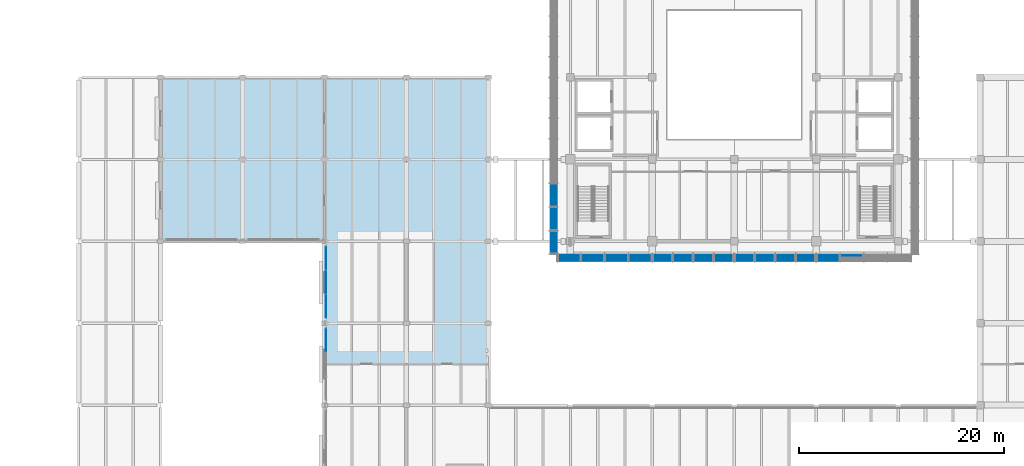
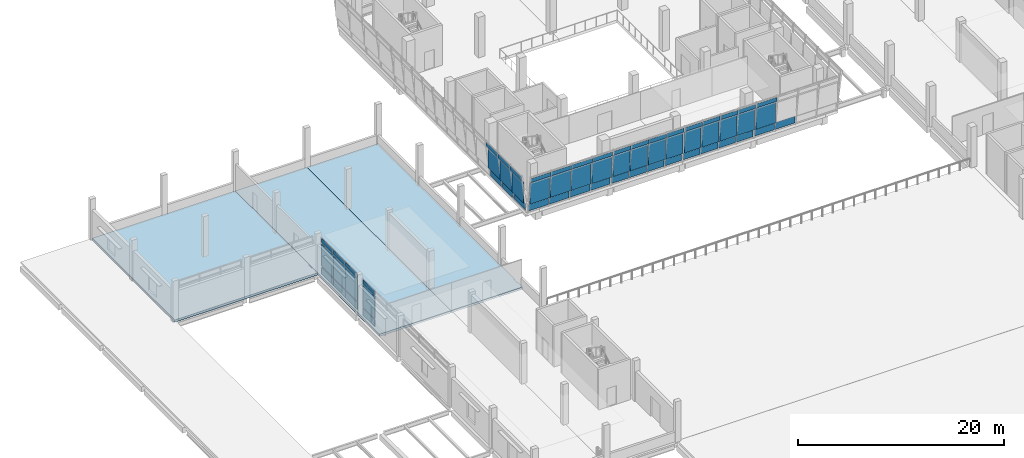
# One storey, part 23 of 52: 61 plates, 3 slabs, 7 elements without a shape of their own.
"""IFC4 building model written with IfcOpenShell, lengths in metres."""

import ifcopenshell
import ifcopenshell.guid

model = None  # the IFC model being written
_history = None  # IfcOwnerHistory: only IFC2X3 demands one
_inside = {}  # id of a spatial element -> (the spatial element, [elements in it])
_under = {}  # id of a project, library or spatial element -> (it, [spatial elements below it])
_declared = {}  # id of a project -> (the project, [libraries it declares])
_typed = {}  # id of a type object -> (the type object, [elements of that type])
_made_of = {}  # id of a material, layer set ... -> (it, [elements and type objects made of it])


def new_model(schema):
    """Start an empty IFC model of exactly this schema.

    Asked for "IFC4X3", IfcOpenShell would pick the latest addendum, in which some entities
    have other attributes; the version numbers below select the first issue.
    IFC2X3 requires an IfcOwnerHistory on every rooted entity: one is made here for all.
    """
    global model, _history
    if schema == "IFC4X3":
        model = ifcopenshell.file(schema_version=(4, 3, 0, 0))
    else:
        model = ifcopenshell.file(schema=schema)
    _inside.clear()
    _under.clear()
    _declared.clear()
    _typed.clear()
    _made_of.clear()
    _history = None
    if model.schema == "IFC2X3":
        org = make("IfcOrganization", Name="unknown")
        user = make(
            "IfcPersonAndOrganization",
            ThePerson=make("IfcPerson", FamilyName="unknown"),
            TheOrganization=org,
        )
        app = make(
            "IfcApplication",
            ApplicationDeveloper=org,
            Version="unknown",
            ApplicationFullName="unknown",
            ApplicationIdentifier="unknown",
        )
        _history = make(
            "IfcOwnerHistory",
            OwningUser=user,
            OwningApplication=app,
            ChangeAction="ADDED",
            CreationDate=0,
        )
    return model


def make(cls, **values):
    """One entity of the class cls with the attributes given. An attribute that is None is left unset."""
    return model.create_entity(
        cls, **{name: value for name, value in values.items() if value is not None}
    )


def rooted(cls, **values):
    """An entity with a GlobalId (a new one), such as an element, a storey or a relation."""
    return make(cls, GlobalId=ifcopenshell.guid.new(), OwnerHistory=_history, **values)


def si_unit(unit_type, name, prefix=None):
    """IfcSIUnit, for example si_unit("LENGTHUNIT", "METRE", prefix="MILLI")."""
    return make("IfcSIUnit", UnitType=unit_type, Prefix=prefix, Name=name)


def assignment(units):
    """IfcUnitAssignment: the units of a project."""
    return None if units is None else make("IfcUnitAssignment", Units=units)


def point(xyz):
    """IfcCartesianPoint."""
    return None if xyz is None else make("IfcCartesianPoint", Coordinates=xyz)


def direction(xyz):
    """IfcDirection."""
    return None if xyz is None else make("IfcDirection", DirectionRatios=xyz)


def frame(location, z_axis=None, x_axis=None):
    """IfcAxis2Placement3D, a coordinate frame: its origin and axes. An axis left out is left unset."""
    return make(
        "IfcAxis2Placement3D",
        Location=point(location),
        Axis=direction(z_axis),
        RefDirection=direction(x_axis),
    )


def frame_2d(location, x_axis=None):
    """IfcAxis2Placement2D, a coordinate frame in the plane: its origin and x axis."""
    return make(
        "IfcAxis2Placement2D", Location=point(location), RefDirection=direction(x_axis)
    )


def origin():
    """The frame at (0, 0, 0) with its axes left unset."""
    return frame((0.0, 0.0, 0.0))


def origin_2d():
    """The frame at (0, 0) in the plane with its x axis left unset."""
    return frame_2d((0.0, 0.0))


def place(relative_to, where):
    """IfcLocalPlacement: puts the frame where relative to a parent placement (None: the world)."""
    return make(
        "IfcLocalPlacement", PlacementRelTo=relative_to, RelativePlacement=where
    )


def context(
    kind, dimensions, precision=None, world=None, true_north=None, identifier=None
):
    """IfcGeometricRepresentationContext, for example the 3D "Model" context."""
    return make(
        "IfcGeometricRepresentationContext",
        ContextIdentifier=identifier,
        ContextType=kind,
        CoordinateSpaceDimension=dimensions,
        Precision=precision,
        WorldCoordinateSystem=world,
        TrueNorth=true_north,
    )


def subcontext(parent, identifier, kind, view, scale=None):
    """IfcGeometricRepresentationSubContext, for example "Body" below "Model"."""
    return make(
        "IfcGeometricRepresentationSubContext",
        ContextIdentifier=identifier,
        ContextType=kind,
        ParentContext=parent,
        TargetScale=scale,
        TargetView=view,
    )


def project(units=None, contexts=None):
    """IfcProject with its units and contexts."""
    return rooted(
        "IfcProject",
        Name="project",
        RepresentationContexts=contexts,
        UnitsInContext=assignment(units),
    )


def spatial(cls, under=None, at=None, **own):
    """A site, building, storey or space (cls), placed at a placement, below another one or the project."""
    s = rooted(cls, ObjectPlacement=at, **own)
    if under is not None:
        _under.setdefault(under.id(), (under, []))[1].append(s)
    return s


def polyline(points):
    """IfcPolyline through the points."""
    return make("IfcPolyline", Points=[point(p) for p in points])


def profile(cls, at=None, kind="AREA", **sizes):
    """A parametric profile (cls). Its sizes go by their IFC names, for example OverallWidth=200.0."""
    return make(cls, ProfileType=kind, Position=at, **sizes)


def rectangle(**sizes):
    """IfcRectangleProfileDef."""
    return profile("IfcRectangleProfileDef", **sizes)


def outline(outer, holes=None, kind="AREA"):
    """IfcArbitraryClosedProfileDef: a profile drawn as a closed curve; with holes, ...WithVoids."""
    if holes is None:
        return make("IfcArbitraryClosedProfileDef", ProfileType=kind, OuterCurve=outer)
    return make(
        "IfcArbitraryProfileDefWithVoids",
        ProfileType=kind,
        OuterCurve=outer,
        InnerCurves=holes,
    )


def extrude(swept, where, along, depth):
    """IfcExtrudedAreaSolid: the profile swept, set in the frame where, extruded along a direction by depth."""
    return make(
        "IfcExtrudedAreaSolid",
        SweptArea=swept,
        Position=where,
        ExtrudedDirection=direction(along),
        Depth=depth,
    )


def shape(context_of_items, identifier, shape_type, items):
    """IfcShapeRepresentation: the items that make up one representation, for example the "Body"."""
    return make(
        "IfcShapeRepresentation",
        ContextOfItems=context_of_items,
        RepresentationIdentifier=identifier,
        RepresentationType=shape_type,
        Items=items,
    )


def material(Name=None, Category=None):
    """IfcMaterial."""
    return make("IfcMaterial", Name=Name, Category=Category)


def layer(
    of_material, thickness, ventilated=None, Name=None, Category=None, Priority=None
):
    """IfcMaterialLayer: one layer of a wall or slab, of a material (None: an air gap)."""
    return make(
        "IfcMaterialLayer",
        Material=of_material,
        LayerThickness=thickness,
        IsVentilated=ventilated,
        Name=Name,
        Category=Category,
        Priority=Priority,
    )


def layer_set(layers, Name=None):
    """IfcMaterialLayerSet."""
    return make("IfcMaterialLayerSet", MaterialLayers=layers, LayerSetName=Name)


def made_of(thing, what):
    """Note that an element or type object is made of a material, layer set ...; save() writes the relation."""
    if what is not None:
        _made_of.setdefault(what.id(), (what, []))[1].append(thing)
    return thing


def type_object(cls, material=None, **own):
    """A type object (cls), such as IfcWallType, which elements share."""
    return made_of(rooted(cls, **own), material)


def element(
    cls,
    number,
    at=None,
    inside=None,
    cuts=None,
    type_object=None,
    material=None,
    context=None,
    identifier="Body",
    shape_type=None,
    held_by="IfcProductDefinitionShape",
    body=None,
    shapes=None,
    **own,
):
    """One element of the class cls, such as IfcWall. Its Tag is "e" and its number.

    at: its placement. inside: the storey or other place that contains it. cuts: it is an
    opening in that element (IfcRelVoidsElement). A single representation is given by context,
    identifier, shape_type and body (its items); several are given by shapes. held_by: the class
    of the entity that holds the representations. save() writes the other relations.
    """
    e = rooted(cls, Tag="e%d" % number, ObjectPlacement=at, **own)
    if body is not None:
        shapes = [shape(context, identifier, shape_type, body)]
    if shapes is not None:
        e.Representation = make(held_by, Representations=shapes)
    if inside is not None:
        _inside.setdefault(inside.id(), (inside, []))[1].append(e)
    if cuts is not None:
        rooted(
            "IfcRelVoidsElement", RelatingBuildingElement=cuts, RelatedOpeningElement=e
        )
    if type_object is not None:
        _typed.setdefault(type_object.id(), (type_object, []))[1].append(e)
    return made_of(e, material)


def aggregate(whole, parts):
    """IfcRelAggregates: a whole, such as a stair, and the parts it consists of."""
    return rooted("IfcRelAggregates", RelatingObject=whole, RelatedObjects=parts)


def save(model, path):
    """Write the relations noted so far, then the file.

    IfcRelAggregates (storeys below a building ...), IfcRelContainedInSpatialStructure (elements
    in a storey), IfcRelDefinesByType, IfcRelAssociatesMaterial and IfcRelDeclares: one each for
    every whole, place, type object, material and project.
    """
    for whole, parts in _under.values():
        aggregate(whole, parts)
    for where, things in _inside.values():
        rooted(
            "IfcRelContainedInSpatialStructure",
            RelatedElements=things,
            RelatingStructure=where,
        )
    for kind, things in _typed.values():
        rooted("IfcRelDefinesByType", RelatedObjects=things, RelatingType=kind)
    for what, things in _made_of.values():
        rooted("IfcRelAssociatesMaterial", RelatedObjects=things, RelatingMaterial=what)
    for by, libraries in _declared.values():
        rooted("IfcRelDeclares", RelatingContext=by, RelatedDefinitions=libraries)
    model.write(path)


model = new_model("IFC4")

# Units and contexts
model_context = context("Model", 3, precision=1e-05, world=origin(), true_north=direction((0.0, 1.0)))
body_context = subcontext(model_context, "Body", "Model", "MODEL_VIEW")
ifc_project = project(units=[si_unit("LENGTHUNIT", "METRE"), si_unit("AREAUNIT", "SQUARE_METRE"), si_unit("VOLUMEUNIT", "CUBIC_METRE"), si_unit("PLANEANGLEUNIT", "RADIAN"), si_unit("MASSUNIT", "GRAM", prefix="KILO")], contexts=[model_context])

# Site, building, storey
site_placement = place(None, origin())
site = spatial("IfcSite", under=ifc_project, at=site_placement, CompositionType="ELEMENT")
building_placement = place(site_placement, origin())
building = spatial("IfcBuilding", under=site, at=building_placement, Name="Pecanmere Concourse Central Library", CompositionType="ELEMENT")
storey_placement = place(building_placement, frame((0.0, 0.0, 10.5)))
storey = spatial("IfcBuildingStorey", under=building, at=storey_placement, Name="L03", CompositionType="ELEMENT", Elevation=10.5)

# Curtain wall, plate
ifc_material_1 = material(Name="Clear anodized aluminium alloy 6063-T6", Category="aluminium")
curtain_wall_type_1 = type_object("IfcCurtainWallType", Name="CW_CLOISTER_GLAZ", PredefinedType="USERDEFINED", material=ifc_material_1)
curtain_wall_1_placement = place(storey_placement, origin())
curtain_wall_1 = element("IfcCurtainWall", 1, at=curtain_wall_1_placement, inside=storey, type_object=curtain_wall_type_1, Name="Unitised Curtain Wall CW-04 L03-132", ObjectType="UNITISED CURTAIN WALL", PredefinedType="USERDEFINED")
ifc_material_2 = material(Name="White ceramic-fritted insulated spandrel glazing", Category="glass")
ifc_layer_1 = layer(ifc_material_2, 0.053955078125, Name="CWP_SPN_54")
ifc_layer_set_1 = layer_set([ifc_layer_1], Name="White ceramic-fritted insulated spandrel glazing")
plate_type_1 = type_object("IfcPlateType", Name="CWP_SPN_54", PredefinedType="CURTAIN_PANEL", material=ifc_layer_set_1)
plate_1_placement = place(storey_placement, frame((48.14990234375, 80.331787109375, 0.139892578125), z_axis=(0.0, 0.0, 1.0), x_axis=(0.0, -1.0, 0.0)))
plate_1 = element("IfcPlate", 2, at=plate_1_placement, type_object=plate_type_1, Name="CW-04 Spandrel Panel 1.1", PredefinedType="CURTAIN_PANEL", context=body_context, shape_type="SweptSolid", body=[
    extrude(rectangle(XDim=2.256591796875, YDim=0.035888671875, at=origin_2d()), origin(), (0.0, 0.0, 1.0), 0.7900390625),
])

# Curtain wall, plates
curtain_wall_2_placement = place(storey_placement, origin())
curtain_wall_2 = element("IfcCurtainWall", 3, at=curtain_wall_2_placement, inside=storey, type_object=curtain_wall_type_1, Name="Unitised Curtain Wall CW-04 L03-134", ObjectType="UNITISED CURTAIN WALL", PredefinedType="USERDEFINED")
plate_2_placement = place(storey_placement, frame((48.14990234375, 88.331787109375, 0.139892578125), z_axis=(0.0, 0.0, 1.0), x_axis=(0.0, -1.0, 0.0)))
plate_2 = element("IfcPlate", 4, at=plate_2_placement, type_object=plate_type_1, Name="CW-04 Spandrel Panel 1.1", PredefinedType="CURTAIN_PANEL", context=body_context, shape_type="SweptSolid", body=[
    extrude(rectangle(XDim=2.256591796875, YDim=0.035888671875, at=origin_2d()), origin(), (0.0, 0.0, 1.0), 0.7900390625),
])
plate_3_placement = place(storey_placement, frame((48.14990234375, 86.0, 0.139892578125), z_axis=(0.0, 0.0, 1.0), x_axis=(0.0, -1.0, 0.0)))
plate_3 = element("IfcPlate", 5, at=plate_3_placement, type_object=plate_type_1, Name="CW-04 Spandrel Panel 2.1", PredefinedType="CURTAIN_PANEL", context=body_context, shape_type="SweptSolid", body=[
    extrude(rectangle(XDim=2.28662109375, YDim=0.035888671875, at=origin_2d()), origin(), (0.0, 0.0, 1.0), 0.7900390625),
])
plate_4_placement = place(storey_placement, frame((48.14990234375, 83.668212890625, 0.139892578125), z_axis=(0.0, 0.0, 1.0), x_axis=(0.0, -1.0, 0.0)))
plate_4 = element("IfcPlate", 6, at=plate_4_placement, type_object=plate_type_1, Name="CW-04 Spandrel Panel 3.1", PredefinedType="CURTAIN_PANEL", context=body_context, shape_type="SweptSolid", body=[
    extrude(rectangle(XDim=2.256591796875, YDim=0.035888671875, at=origin_2d()), origin(), (0.0, 0.0, 1.0), 0.7900390625),
])

ifc_material_3 = material(Name="Anodized bronze aluminium alloy 6063-T6", Category="aluminium")
curtain_wall_type_2 = type_object("IfcCurtainWallType", Name="CW_LEAN_BANDED", PredefinedType="USERDEFINED", material=ifc_material_3)
curtain_wall_3_placement = place(storey_placement, origin())
curtain_wall_3 = element("IfcCurtainWall", 7, at=curtain_wall_3_placement, inside=storey, type_object=curtain_wall_type_2, Name="Unitised Curtain Wall CW-01 L03-026", ObjectType="UNITISED CURTAIN WALL", PredefinedType="USERDEFINED")
ifc_material_4 = material(Name="White ceramic-fritted insulated spandrel glazing", Category="glass")
ifc_layer_2 = layer(ifc_material_4, 0.06396484375, Name="CWP_SPN_64")
ifc_layer_set_2 = layer_set([ifc_layer_2], Name="White ceramic-fritted insulated spandrel glazing")
plate_type_2 = type_object("IfcPlateType", Name="CWP_SPN_64", PredefinedType="CURTAIN_PANEL", material=ifc_layer_set_2)
plate_5_placement = place(storey_placement, frame((71.897216796875, 88.60302734375, 0.18017578125), z_axis=(0.0, 0.0, 1.0), x_axis=(1.0, 0.0, 0.0)))
plate_5 = element("IfcPlate", 8, at=plate_5_placement, type_object=plate_type_2, Name="CW-01 Spandrel Panel 1.1", PredefinedType="CURTAIN_PANEL", context=body_context, shape_type="SweptSolid", body=[
    extrude(rectangle(XDim=2.20654296875, YDim=0.0419921875, at=origin_2d()), origin(), (0.0, 0.0, 1.0), 0.780029296875),
])
plate_6_placement = place(storey_placement, frame((74.197509765625, 88.60302734375, 0.18017578125), z_axis=(0.0, 0.0, 1.0), x_axis=(1.0, 0.0, 0.0)))
plate_6 = element("IfcPlate", 9, at=plate_6_placement, type_object=plate_type_2, Name="CW-01 Spandrel Panel 2.1", PredefinedType="CURTAIN_PANEL", context=body_context, shape_type="SweptSolid", body=[
    extrude(rectangle(XDim=2.243896484375, YDim=0.0419921875, at=origin_2d()), origin(), (0.0, 0.0, 1.0), 0.780029296875),
])
plate_7_placement = place(storey_placement, frame((76.5166015625, 88.60302734375, 0.18017578125), z_axis=(0.0, 0.0, 1.0), x_axis=(1.0, 0.0, 0.0)))
plate_7 = element("IfcPlate", 10, at=plate_7_placement, type_object=plate_type_2, Name="CW-01 Spandrel Panel 3.1", PredefinedType="CURTAIN_PANEL", context=body_context, shape_type="SweptSolid", body=[
    extrude(rectangle(XDim=2.243896484375, YDim=0.0419921875, at=origin_2d()), origin(), (0.0, 0.0, 1.0), 0.780029296875),
])
plate_8_placement = place(storey_placement, frame((78.816650390625, 88.60302734375, 0.18017578125), z_axis=(0.0, 0.0, 1.0), x_axis=(1.0, 0.0, 0.0)))
plate_8 = element("IfcPlate", 11, at=plate_8_placement, type_object=plate_type_2, Name="CW-01 Spandrel Panel 4.1", PredefinedType="CURTAIN_PANEL", context=body_context, shape_type="SweptSolid", body=[
    extrude(rectangle(XDim=2.20654296875, YDim=0.0419921875, at=origin_2d()), origin(), (0.0, 0.0, 1.0), 0.780029296875),
])

curtain_wall_4_placement = place(storey_placement, origin())
curtain_wall_4 = element("IfcCurtainWall", 12, at=curtain_wall_4_placement, inside=storey, type_object=curtain_wall_type_2, Name="Unitised Curtain Wall CW-01 L03-027", ObjectType="UNITISED CURTAIN WALL", PredefinedType="USERDEFINED")
plate_9_placement = place(storey_placement, frame((81.0224609375, 88.60302734375, 0.18017578125), z_axis=(0.0, 0.0, 1.0), x_axis=(1.0, 0.0, 0.0)))
plate_9 = element("IfcPlate", 13, at=plate_9_placement, type_object=plate_type_2, Name="CW-01 Spandrel Panel 1.1", PredefinedType="CURTAIN_PANEL", context=body_context, shape_type="SweptSolid", body=[
    extrude(rectangle(XDim=1.885009765625, YDim=0.0419921875, at=origin_2d()), origin(), (0.0, 0.0, 1.0), 0.780029296875),
])
plate_10_placement = place(storey_placement, frame((83.001220703125, 88.60302734375, 0.18017578125), z_axis=(0.0, 0.0, 1.0), x_axis=(1.0, 0.0, 0.0)))
plate_10 = element("IfcPlate", 14, at=plate_10_placement, type_object=plate_type_2, Name="CW-01 Spandrel Panel 2.1", PredefinedType="CURTAIN_PANEL", context=body_context, shape_type="SweptSolid", body=[
    extrude(rectangle(XDim=1.922607421875, YDim=0.0419921875, at=origin_2d()), origin(), (0.0, 0.0, 1.0), 0.780029296875),
])
plate_11_placement = place(storey_placement, frame((84.998779296875, 88.60302734375, 0.18017578125), z_axis=(0.0, 0.0, 1.0), x_axis=(1.0, 0.0, 0.0)))
plate_11 = element("IfcPlate", 15, at=plate_11_placement, type_object=plate_type_2, Name="CW-01 Spandrel Panel 3.1", PredefinedType="CURTAIN_PANEL", context=body_context, shape_type="SweptSolid", body=[
    extrude(rectangle(XDim=1.922607421875, YDim=0.0419921875, at=origin_2d()), origin(), (0.0, 0.0, 1.0), 0.780029296875),
])
plate_12_placement = place(storey_placement, frame((86.9775390625, 88.60302734375, 0.18017578125), z_axis=(0.0, 0.0, 1.0), x_axis=(1.0, 0.0, 0.0)))
plate_12 = element("IfcPlate", 16, at=plate_12_placement, type_object=plate_type_2, Name="CW-01 Spandrel Panel 4.1", PredefinedType="CURTAIN_PANEL", context=body_context, shape_type="SweptSolid", body=[
    extrude(rectangle(XDim=1.885009765625, YDim=0.0419921875, at=origin_2d()), origin(), (0.0, 0.0, 1.0), 0.780029296875),
])

curtain_wall_5_placement = place(storey_placement, origin())
curtain_wall_5 = element("IfcCurtainWall", 17, at=curtain_wall_5_placement, inside=storey, type_object=curtain_wall_type_2, Name="Unitised Curtain Wall CW-01 L03-028", ObjectType="UNITISED CURTAIN WALL", PredefinedType="USERDEFINED")
plate_13_placement = place(storey_placement, frame((89.0224609375, 88.60302734375, 0.18017578125), z_axis=(0.0, 0.0, 1.0), x_axis=(1.0, 0.0, 0.0)))
plate_13 = element("IfcPlate", 18, at=plate_13_placement, type_object=plate_type_2, Name="CW-01 Spandrel Panel 1.1", PredefinedType="CURTAIN_PANEL", context=body_context, shape_type="SweptSolid", body=[
    extrude(rectangle(XDim=1.885009765625, YDim=0.0419921875, at=origin_2d()), origin(), (0.0, 0.0, 1.0), 0.780029296875),
])
plate_14_placement = place(storey_placement, frame((91.001220703125, 88.60302734375, 0.18017578125), z_axis=(0.0, 0.0, 1.0), x_axis=(1.0, 0.0, 0.0)))
plate_14 = element("IfcPlate", 19, at=plate_14_placement, type_object=plate_type_2, Name="CW-01 Spandrel Panel 2.1", PredefinedType="CURTAIN_PANEL", context=body_context, shape_type="SweptSolid", body=[
    extrude(rectangle(XDim=1.922607421875, YDim=0.0419921875, at=origin_2d()), origin(), (0.0, 0.0, 1.0), 0.780029296875),
])
plate_15_placement = place(storey_placement, frame((92.998779296875, 88.60302734375, 0.18017578125), z_axis=(0.0, 0.0, 1.0), x_axis=(1.0, 0.0, 0.0)))
plate_15 = element("IfcPlate", 20, at=plate_15_placement, type_object=plate_type_2, Name="CW-01 Spandrel Panel 3.1", PredefinedType="CURTAIN_PANEL", context=body_context, shape_type="SweptSolid", body=[
    extrude(rectangle(XDim=1.922607421875, YDim=0.0419921875, at=origin_2d()), origin(), (0.0, 0.0, 1.0), 0.780029296875),
])
plate_16_placement = place(storey_placement, frame((94.9775390625, 88.60302734375, 0.18017578125), z_axis=(0.0, 0.0, 1.0), x_axis=(1.0, 0.0, 0.0)))
plate_16 = element("IfcPlate", 21, at=plate_16_placement, type_object=plate_type_2, Name="CW-01 Spandrel Panel 4.1", PredefinedType="CURTAIN_PANEL", context=body_context, shape_type="SweptSolid", body=[
    extrude(rectangle(XDim=1.885009765625, YDim=0.0419921875, at=origin_2d()), origin(), (0.0, 0.0, 1.0), 0.780029296875),
])

curtain_wall_6_placement = place(storey_placement, origin())
curtain_wall_6 = element("IfcCurtainWall", 22, at=curtain_wall_6_placement, inside=storey, type_object=curtain_wall_type_2, Name="Unitised Curtain Wall CW-01 L03-029", ObjectType="UNITISED CURTAIN WALL", PredefinedType="USERDEFINED")
plate_17_placement = place(storey_placement, frame((97.183349609375, 88.60302734375, 0.18017578125), z_axis=(0.0, 0.0, 1.0), x_axis=(1.0, 0.0, 0.0)))
plate_17 = element("IfcPlate", 23, at=plate_17_placement, type_object=plate_type_2, Name="CW-01 Spandrel Panel 1.1", PredefinedType="CURTAIN_PANEL", context=body_context, shape_type="SweptSolid", body=[
    extrude(rectangle(XDim=2.20654296875, YDim=0.0419921875, at=origin_2d()), origin(), (0.0, 0.0, 1.0), 0.780029296875),
])
plate_18_placement = place(storey_placement, frame((99.4833984375, 88.60302734375, 0.18017578125), z_axis=(0.0, 0.0, 1.0), x_axis=(1.0, 0.0, 0.0)))
plate_18 = element("IfcPlate", 24, at=plate_18_placement, type_object=plate_type_2, Name="CW-01 Spandrel Panel 2.1", PredefinedType="CURTAIN_PANEL", context=body_context, shape_type="SweptSolid", body=[
    extrude(rectangle(XDim=2.243896484375, YDim=0.0419921875, at=origin_2d()), origin(), (0.0, 0.0, 1.0), 0.780029296875),
])

curtain_wall_7_placement = place(storey_placement, origin())
curtain_wall_7 = element("IfcCurtainWall", 25, at=curtain_wall_7_placement, inside=storey, type_object=curtain_wall_type_2, Name="Unitised Curtain Wall CW-01 L03-037", ObjectType="UNITISED CURTAIN WALL", PredefinedType="USERDEFINED")
plate_19_placement = place(storey_placement, frame((70.60302734375, 94.5166015625, 0.18017578125), z_axis=(0.0, 0.0, 1.0), x_axis=(0.0, -1.0, 0.0)))
plate_19 = element("IfcPlate", 26, at=plate_19_placement, type_object=plate_type_2, Name="CW-01 Spandrel Panel 2.1", PredefinedType="CURTAIN_PANEL", context=body_context, shape_type="SweptSolid", body=[
    extrude(rectangle(XDim=2.243896484375, YDim=0.0419921875, at=origin_2d()), origin(), (0.0, 0.0, 1.0), 0.780029296875),
])
plate_20_placement = place(storey_placement, frame((70.60302734375, 92.197509765625, 0.18017578125), z_axis=(0.0, 0.0, 1.0), x_axis=(0.0, -1.0, 0.0)))
plate_20 = element("IfcPlate", 27, at=plate_20_placement, type_object=plate_type_2, Name="CW-01 Spandrel Panel 3.1", PredefinedType="CURTAIN_PANEL", context=body_context, shape_type="SweptSolid", body=[
    extrude(rectangle(XDim=2.243896484375, YDim=0.0419921875, at=origin_2d()), origin(), (0.0, 0.0, 1.0), 0.780029296875),
])
plate_21_placement = place(storey_placement, frame((70.60302734375, 89.897216796875, 0.18017578125), z_axis=(0.0, 0.0, 1.0), x_axis=(0.0, -1.0, 0.0)))
plate_21 = element("IfcPlate", 28, at=plate_21_placement, type_object=plate_type_2, Name="CW-01 Spandrel Panel 4.1", PredefinedType="CURTAIN_PANEL", context=body_context, shape_type="SweptSolid", body=[
    extrude(rectangle(XDim=2.20654296875, YDim=0.0419921875, at=origin_2d()), origin(), (0.0, 0.0, 1.0), 0.780029296875),
])

# Plate
ifc_material_5 = material(Name="Low-iron clear insulated glazing", Category="glass")
ifc_layer_3 = layer(ifc_material_5, 0.035888671875, Name="CWP_VIS_36")
ifc_layer_set_3 = layer_set([ifc_layer_3], Name="Low-iron clear insulated glazing")
plate_type_3 = type_object("IfcPlateType", Name="CWP_VIS_36", PredefinedType="CURTAIN_PANEL", material=ifc_layer_set_3)
plate_22_placement = place(storey_placement, frame((48.14990234375, 80.331787109375, 1.06982421875), z_axis=(0.0, 0.0, 1.0), x_axis=(0.0, -1.0, 0.0)))
plate_22 = element("IfcPlate", 29, at=plate_22_placement, type_object=plate_type_3, Name="CW-04 Vision Panel 1.2", PredefinedType="CURTAIN_PANEL", context=body_context, shape_type="SweptSolid", body=[
    extrude(rectangle(XDim=2.256591796875, YDim=0.035888671875, at=origin_2d()), origin(), (0.0, 0.0, 1.0), 2.639892578125),
])

plate_23_placement = place(storey_placement, frame((48.14990234375, 80.331787109375, 3.85009765625), z_axis=(0.0, 0.0, 1.0), x_axis=(0.0, -1.0, 0.0)))
plate_23 = element("IfcPlate", 30, at=plate_23_placement, type_object=plate_type_3, Name="CW-04 Vision Panel 1.3", PredefinedType="CURTAIN_PANEL", context=body_context, shape_type="SweptSolid", body=[
    extrude(rectangle(XDim=2.256591796875, YDim=0.035888671875, at=origin_2d()), origin(), (0.0, 0.0, 1.0), 0.489990234375),
])

aggregate(curtain_wall_1, [plate_1, plate_22, plate_23])

plate_24_placement = place(storey_placement, frame((48.14990234375, 88.331787109375, 1.06982421875), z_axis=(0.0, 0.0, 1.0), x_axis=(0.0, -1.0, 0.0)))
plate_24 = element("IfcPlate", 31, at=plate_24_placement, type_object=plate_type_3, Name="CW-04 Vision Panel 1.2", PredefinedType="CURTAIN_PANEL", context=body_context, shape_type="SweptSolid", body=[
    extrude(rectangle(XDim=2.256591796875, YDim=0.035888671875, at=origin_2d()), origin(), (0.0, 0.0, 1.0), 2.639892578125),
])

plate_25_placement = place(storey_placement, frame((48.14990234375, 88.331787109375, 3.85009765625), z_axis=(0.0, 0.0, 1.0), x_axis=(0.0, -1.0, 0.0)))
plate_25 = element("IfcPlate", 32, at=plate_25_placement, type_object=plate_type_3, Name="CW-04 Vision Panel 1.3", PredefinedType="CURTAIN_PANEL", context=body_context, shape_type="SweptSolid", body=[
    extrude(rectangle(XDim=2.256591796875, YDim=0.035888671875, at=origin_2d()), origin(), (0.0, 0.0, 1.0), 0.489990234375),
])

plate_26_placement = place(storey_placement, frame((48.14990234375, 86.0, 1.06982421875), z_axis=(0.0, 0.0, 1.0), x_axis=(0.0, -1.0, 0.0)))
plate_26 = element("IfcPlate", 33, at=plate_26_placement, type_object=plate_type_3, Name="CW-04 Vision Panel 2.2", PredefinedType="CURTAIN_PANEL", context=body_context, shape_type="SweptSolid", body=[
    extrude(rectangle(XDim=2.28662109375, YDim=0.035888671875, at=origin_2d()), origin(), (0.0, 0.0, 1.0), 2.639892578125),
])

plate_27_placement = place(storey_placement, frame((48.14990234375, 86.0, 3.85009765625), z_axis=(0.0, 0.0, 1.0), x_axis=(0.0, -1.0, 0.0)))
plate_27 = element("IfcPlate", 34, at=plate_27_placement, type_object=plate_type_3, Name="CW-04 Vision Panel 2.3", PredefinedType="CURTAIN_PANEL", context=body_context, shape_type="SweptSolid", body=[
    extrude(rectangle(XDim=2.28662109375, YDim=0.035888671875, at=origin_2d()), origin(), (0.0, 0.0, 1.0), 0.489990234375),
])

plate_28_placement = place(storey_placement, frame((48.14990234375, 83.668212890625, 1.06982421875), z_axis=(0.0, 0.0, 1.0), x_axis=(0.0, -1.0, 0.0)))
plate_28 = element("IfcPlate", 35, at=plate_28_placement, type_object=plate_type_3, Name="CW-04 Vision Panel 3.2", PredefinedType="CURTAIN_PANEL", context=body_context, shape_type="SweptSolid", body=[
    extrude(rectangle(XDim=2.256591796875, YDim=0.035888671875, at=origin_2d()), origin(), (0.0, 0.0, 1.0), 2.639892578125),
])

plate_29_placement = place(storey_placement, frame((48.14990234375, 83.668212890625, 3.85009765625), z_axis=(0.0, 0.0, 1.0), x_axis=(0.0, -1.0, 0.0)))
plate_29 = element("IfcPlate", 36, at=plate_29_placement, type_object=plate_type_3, Name="CW-04 Vision Panel 3.3", PredefinedType="CURTAIN_PANEL", context=body_context, shape_type="SweptSolid", body=[
    extrude(rectangle(XDim=2.256591796875, YDim=0.035888671875, at=origin_2d()), origin(), (0.0, 0.0, 1.0), 0.489990234375),
])

aggregate(curtain_wall_2, [plate_2, plate_24, plate_25, plate_3, plate_26, plate_27, plate_4, plate_28, plate_29])

ifc_material_6 = material(Name="Low-iron clear insulated glazing", Category="glass")
ifc_layer_4 = layer(ifc_material_6, 0.0419921875, Name="CWP_VIS_42")
ifc_layer_set_4 = layer_set([ifc_layer_4], Name="Low-iron clear insulated glazing")
plate_type_4 = type_object("IfcPlateType", Name="CWP_VIS_42", PredefinedType="CURTAIN_PANEL", material=ifc_layer_set_4)
plate_30_placement = place(storey_placement, frame((71.897216796875, 88.360107421875, 1.139892578125), z_axis=(0.0, 0.0, 1.0), x_axis=(1.0, 0.0, 0.0)))
plate_30 = element("IfcPlate", 37, at=plate_30_placement, type_object=plate_type_4, Name="CW-01 Vision Panel 1.2", PredefinedType="CURTAIN_PANEL", context=body_context, shape_type="SweptSolid", body=[
    extrude(rectangle(XDim=2.20654296875, YDim=0.0419921875, at=origin_2d()), origin(), (0.0, 0.0, 1.0), 2.5),
])

plate_31_placement = place(storey_placement, frame((71.897216796875, 88.13720703125, 3.820068359375), z_axis=(0.0, 0.0, 1.0), x_axis=(1.0, 0.0, 0.0)))
plate_31 = element("IfcPlate", 38, at=plate_31_placement, type_object=plate_type_4, Name="CW-01 Vision Panel 1.3", PredefinedType="CURTAIN_PANEL", context=body_context, shape_type="SweptSolid", body=[
    extrude(rectangle(XDim=2.20654296875, YDim=0.0419921875, at=origin_2d()), origin(), (0.0, 0.0, 1.0), 0.47998046875),
])

plate_32_placement = place(storey_placement, frame((74.197509765625, 88.360107421875, 1.139892578125), z_axis=(0.0, 0.0, 1.0), x_axis=(1.0, 0.0, 0.0)))
plate_32 = element("IfcPlate", 39, at=plate_32_placement, type_object=plate_type_4, Name="CW-01 Vision Panel 2.2", PredefinedType="CURTAIN_PANEL", context=body_context, shape_type="SweptSolid", body=[
    extrude(rectangle(XDim=2.243896484375, YDim=0.0419921875, at=origin_2d()), origin(), (0.0, 0.0, 1.0), 2.5),
])

plate_33_placement = place(storey_placement, frame((74.197509765625, 88.13720703125, 3.820068359375), z_axis=(0.0, 0.0, 1.0), x_axis=(1.0, 0.0, 0.0)))
plate_33 = element("IfcPlate", 40, at=plate_33_placement, type_object=plate_type_4, Name="CW-01 Vision Panel 2.3", PredefinedType="CURTAIN_PANEL", context=body_context, shape_type="SweptSolid", body=[
    extrude(rectangle(XDim=2.243896484375, YDim=0.0419921875, at=origin_2d()), origin(), (0.0, 0.0, 1.0), 0.47998046875),
])

plate_34_placement = place(storey_placement, frame((76.5166015625, 88.360107421875, 1.139892578125), z_axis=(0.0, 0.0, 1.0), x_axis=(1.0, 0.0, 0.0)))
plate_34 = element("IfcPlate", 41, at=plate_34_placement, type_object=plate_type_4, Name="CW-01 Vision Panel 3.2", PredefinedType="CURTAIN_PANEL", context=body_context, shape_type="SweptSolid", body=[
    extrude(rectangle(XDim=2.243896484375, YDim=0.0419921875, at=origin_2d()), origin(), (0.0, 0.0, 1.0), 2.5),
])

plate_35_placement = place(storey_placement, frame((76.5166015625, 88.13720703125, 3.820068359375), z_axis=(0.0, 0.0, 1.0), x_axis=(1.0, 0.0, 0.0)))
plate_35 = element("IfcPlate", 42, at=plate_35_placement, type_object=plate_type_4, Name="CW-01 Vision Panel 3.3", PredefinedType="CURTAIN_PANEL", context=body_context, shape_type="SweptSolid", body=[
    extrude(rectangle(XDim=2.243896484375, YDim=0.0419921875, at=origin_2d()), origin(), (0.0, 0.0, 1.0), 0.47998046875),
])

plate_36_placement = place(storey_placement, frame((78.816650390625, 88.360107421875, 1.139892578125), z_axis=(0.0, 0.0, 1.0), x_axis=(1.0, 0.0, 0.0)))
plate_36 = element("IfcPlate", 43, at=plate_36_placement, type_object=plate_type_4, Name="CW-01 Vision Panel 4.2", PredefinedType="CURTAIN_PANEL", context=body_context, shape_type="SweptSolid", body=[
    extrude(rectangle(XDim=2.20654296875, YDim=0.0419921875, at=origin_2d()), origin(), (0.0, 0.0, 1.0), 2.5),
])

plate_37_placement = place(storey_placement, frame((78.816650390625, 88.13720703125, 3.820068359375), z_axis=(0.0, 0.0, 1.0), x_axis=(1.0, 0.0, 0.0)))
plate_37 = element("IfcPlate", 44, at=plate_37_placement, type_object=plate_type_4, Name="CW-01 Vision Panel 4.3", PredefinedType="CURTAIN_PANEL", context=body_context, shape_type="SweptSolid", body=[
    extrude(rectangle(XDim=2.20654296875, YDim=0.0419921875, at=origin_2d()), origin(), (0.0, 0.0, 1.0), 0.47998046875),
])

aggregate(curtain_wall_3, [plate_5, plate_30, plate_31, plate_6, plate_32, plate_33, plate_7, plate_34, plate_35, plate_8, plate_36, plate_37])

plate_38_placement = place(storey_placement, frame((81.0224609375, 88.360107421875, 1.139892578125), z_axis=(0.0, 0.0, 1.0), x_axis=(1.0, 0.0, 0.0)))
plate_38 = element("IfcPlate", 45, at=plate_38_placement, type_object=plate_type_4, Name="CW-01 Vision Panel 1.2", PredefinedType="CURTAIN_PANEL", context=body_context, shape_type="SweptSolid", body=[
    extrude(rectangle(XDim=1.885009765625, YDim=0.0419921875, at=origin_2d()), origin(), (0.0, 0.0, 1.0), 2.5),
])

plate_39_placement = place(storey_placement, frame((81.0224609375, 88.13720703125, 3.820068359375), z_axis=(0.0, 0.0, 1.0), x_axis=(1.0, 0.0, 0.0)))
plate_39 = element("IfcPlate", 46, at=plate_39_placement, type_object=plate_type_4, Name="CW-01 Vision Panel 1.3", PredefinedType="CURTAIN_PANEL", context=body_context, shape_type="SweptSolid", body=[
    extrude(rectangle(XDim=1.885009765625, YDim=0.0419921875, at=origin_2d()), origin(), (0.0, 0.0, 1.0), 0.47998046875),
])

plate_40_placement = place(storey_placement, frame((83.001220703125, 88.360107421875, 1.139892578125), z_axis=(0.0, 0.0, 1.0), x_axis=(1.0, 0.0, 0.0)))
plate_40 = element("IfcPlate", 47, at=plate_40_placement, type_object=plate_type_4, Name="CW-01 Vision Panel 2.2", PredefinedType="CURTAIN_PANEL", context=body_context, shape_type="SweptSolid", body=[
    extrude(rectangle(XDim=1.922607421875, YDim=0.0419921875, at=origin_2d()), origin(), (0.0, 0.0, 1.0), 2.5),
])

plate_41_placement = place(storey_placement, frame((83.001220703125, 88.13720703125, 3.820068359375), z_axis=(0.0, 0.0, 1.0), x_axis=(1.0, 0.0, 0.0)))
plate_41 = element("IfcPlate", 48, at=plate_41_placement, type_object=plate_type_4, Name="CW-01 Vision Panel 2.3", PredefinedType="CURTAIN_PANEL", context=body_context, shape_type="SweptSolid", body=[
    extrude(rectangle(XDim=1.922607421875, YDim=0.0419921875, at=origin_2d()), origin(), (0.0, 0.0, 1.0), 0.47998046875),
])

plate_42_placement = place(storey_placement, frame((84.998779296875, 88.360107421875, 1.139892578125), z_axis=(0.0, 0.0, 1.0), x_axis=(1.0, 0.0, 0.0)))
plate_42 = element("IfcPlate", 49, at=plate_42_placement, type_object=plate_type_4, Name="CW-01 Vision Panel 3.2", PredefinedType="CURTAIN_PANEL", context=body_context, shape_type="SweptSolid", body=[
    extrude(rectangle(XDim=1.922607421875, YDim=0.0419921875, at=origin_2d()), origin(), (0.0, 0.0, 1.0), 2.5),
])

plate_43_placement = place(storey_placement, frame((84.998779296875, 88.13720703125, 3.820068359375), z_axis=(0.0, 0.0, 1.0), x_axis=(1.0, 0.0, 0.0)))
plate_43 = element("IfcPlate", 50, at=plate_43_placement, type_object=plate_type_4, Name="CW-01 Vision Panel 3.3", PredefinedType="CURTAIN_PANEL", context=body_context, shape_type="SweptSolid", body=[
    extrude(rectangle(XDim=1.922607421875, YDim=0.0419921875, at=origin_2d()), origin(), (0.0, 0.0, 1.0), 0.47998046875),
])

plate_44_placement = place(storey_placement, frame((86.9775390625, 88.360107421875, 1.139892578125), z_axis=(0.0, 0.0, 1.0), x_axis=(1.0, 0.0, 0.0)))
plate_44 = element("IfcPlate", 51, at=plate_44_placement, type_object=plate_type_4, Name="CW-01 Vision Panel 4.2", PredefinedType="CURTAIN_PANEL", context=body_context, shape_type="SweptSolid", body=[
    extrude(rectangle(XDim=1.885009765625, YDim=0.0419921875, at=origin_2d()), origin(), (0.0, 0.0, 1.0), 2.5),
])

plate_45_placement = place(storey_placement, frame((86.9775390625, 88.13720703125, 3.820068359375), z_axis=(0.0, 0.0, 1.0), x_axis=(1.0, 0.0, 0.0)))
plate_45 = element("IfcPlate", 52, at=plate_45_placement, type_object=plate_type_4, Name="CW-01 Vision Panel 4.3", PredefinedType="CURTAIN_PANEL", context=body_context, shape_type="SweptSolid", body=[
    extrude(rectangle(XDim=1.885009765625, YDim=0.0419921875, at=origin_2d()), origin(), (0.0, 0.0, 1.0), 0.47998046875),
])

aggregate(curtain_wall_4, [plate_9, plate_38, plate_39, plate_10, plate_40, plate_41, plate_11, plate_42, plate_43, plate_12, plate_44, plate_45])

plate_46_placement = place(storey_placement, frame((89.0224609375, 88.360107421875, 1.139892578125), z_axis=(0.0, 0.0, 1.0), x_axis=(1.0, 0.0, 0.0)))
plate_46 = element("IfcPlate", 53, at=plate_46_placement, type_object=plate_type_4, Name="CW-01 Vision Panel 1.2", PredefinedType="CURTAIN_PANEL", context=body_context, shape_type="SweptSolid", body=[
    extrude(rectangle(XDim=1.885009765625, YDim=0.0419921875, at=origin_2d()), origin(), (0.0, 0.0, 1.0), 2.5),
])

plate_47_placement = place(storey_placement, frame((89.0224609375, 88.13720703125, 3.820068359375), z_axis=(0.0, 0.0, 1.0), x_axis=(1.0, 0.0, 0.0)))
plate_47 = element("IfcPlate", 54, at=plate_47_placement, type_object=plate_type_4, Name="CW-01 Vision Panel 1.3", PredefinedType="CURTAIN_PANEL", context=body_context, shape_type="SweptSolid", body=[
    extrude(rectangle(XDim=1.885009765625, YDim=0.0419921875, at=origin_2d()), origin(), (0.0, 0.0, 1.0), 0.47998046875),
])

plate_48_placement = place(storey_placement, frame((91.001220703125, 88.360107421875, 1.139892578125), z_axis=(0.0, 0.0, 1.0), x_axis=(1.0, 0.0, 0.0)))
plate_48 = element("IfcPlate", 55, at=plate_48_placement, type_object=plate_type_4, Name="CW-01 Vision Panel 2.2", PredefinedType="CURTAIN_PANEL", context=body_context, shape_type="SweptSolid", body=[
    extrude(rectangle(XDim=1.922607421875, YDim=0.0419921875, at=origin_2d()), origin(), (0.0, 0.0, 1.0), 2.5),
])

plate_49_placement = place(storey_placement, frame((91.001220703125, 88.13720703125, 3.820068359375), z_axis=(0.0, 0.0, 1.0), x_axis=(1.0, 0.0, 0.0)))
plate_49 = element("IfcPlate", 56, at=plate_49_placement, type_object=plate_type_4, Name="CW-01 Vision Panel 2.3", PredefinedType="CURTAIN_PANEL", context=body_context, shape_type="SweptSolid", body=[
    extrude(rectangle(XDim=1.922607421875, YDim=0.0419921875, at=origin_2d()), origin(), (0.0, 0.0, 1.0), 0.47998046875),
])

plate_50_placement = place(storey_placement, frame((92.998779296875, 88.360107421875, 1.139892578125), z_axis=(0.0, 0.0, 1.0), x_axis=(1.0, 0.0, 0.0)))
plate_50 = element("IfcPlate", 57, at=plate_50_placement, type_object=plate_type_4, Name="CW-01 Vision Panel 3.2", PredefinedType="CURTAIN_PANEL", context=body_context, shape_type="SweptSolid", body=[
    extrude(rectangle(XDim=1.922607421875, YDim=0.0419921875, at=origin_2d()), origin(), (0.0, 0.0, 1.0), 2.5),
])

plate_51_placement = place(storey_placement, frame((92.998779296875, 88.13720703125, 3.820068359375), z_axis=(0.0, 0.0, 1.0), x_axis=(1.0, 0.0, 0.0)))
plate_51 = element("IfcPlate", 58, at=plate_51_placement, type_object=plate_type_4, Name="CW-01 Vision Panel 3.3", PredefinedType="CURTAIN_PANEL", context=body_context, shape_type="SweptSolid", body=[
    extrude(rectangle(XDim=1.922607421875, YDim=0.0419921875, at=origin_2d()), origin(), (0.0, 0.0, 1.0), 0.47998046875),
])

plate_52_placement = place(storey_placement, frame((94.9775390625, 88.360107421875, 1.139892578125), z_axis=(0.0, 0.0, 1.0), x_axis=(1.0, 0.0, 0.0)))
plate_52 = element("IfcPlate", 59, at=plate_52_placement, type_object=plate_type_4, Name="CW-01 Vision Panel 4.2", PredefinedType="CURTAIN_PANEL", context=body_context, shape_type="SweptSolid", body=[
    extrude(rectangle(XDim=1.885009765625, YDim=0.0419921875, at=origin_2d()), origin(), (0.0, 0.0, 1.0), 2.5),
])

plate_53_placement = place(storey_placement, frame((94.9775390625, 88.13720703125, 3.820068359375), z_axis=(0.0, 0.0, 1.0), x_axis=(1.0, 0.0, 0.0)))
plate_53 = element("IfcPlate", 60, at=plate_53_placement, type_object=plate_type_4, Name="CW-01 Vision Panel 4.3", PredefinedType="CURTAIN_PANEL", context=body_context, shape_type="SweptSolid", body=[
    extrude(rectangle(XDim=1.885009765625, YDim=0.0419921875, at=origin_2d()), origin(), (0.0, 0.0, 1.0), 0.47998046875),
])

aggregate(curtain_wall_5, [plate_13, plate_46, plate_47, plate_14, plate_48, plate_49, plate_15, plate_50, plate_51, plate_16, plate_52, plate_53])

plate_54_placement = place(storey_placement, frame((97.183349609375, 88.360107421875, 1.139892578125), z_axis=(0.0, 0.0, 1.0), x_axis=(1.0, 0.0, 0.0)))
plate_54 = element("IfcPlate", 61, at=plate_54_placement, type_object=plate_type_4, Name="CW-01 Vision Panel 1.2", PredefinedType="CURTAIN_PANEL", context=body_context, shape_type="SweptSolid", body=[
    extrude(rectangle(XDim=2.20654296875, YDim=0.0419921875, at=origin_2d()), origin(), (0.0, 0.0, 1.0), 2.5),
])

plate_55_placement = place(storey_placement, frame((97.183349609375, 88.13720703125, 3.820068359375), z_axis=(0.0, 0.0, 1.0), x_axis=(1.0, 0.0, 0.0)))
plate_55 = element("IfcPlate", 62, at=plate_55_placement, type_object=plate_type_4, Name="CW-01 Vision Panel 1.3", PredefinedType="CURTAIN_PANEL", context=body_context, shape_type="SweptSolid", body=[
    extrude(rectangle(XDim=2.20654296875, YDim=0.0419921875, at=origin_2d()), origin(), (0.0, 0.0, 1.0), 0.47998046875),
])

aggregate(curtain_wall_6, [plate_17, plate_54, plate_55, plate_18])

plate_56_placement = place(storey_placement, frame((70.360107421875, 94.5166015625, 1.139892578125), z_axis=(0.0, 0.0, 1.0), x_axis=(0.0, -1.0, 0.0)))
plate_56 = element("IfcPlate", 63, at=plate_56_placement, type_object=plate_type_4, Name="CW-01 Vision Panel 2.2", PredefinedType="CURTAIN_PANEL", context=body_context, shape_type="SweptSolid", body=[
    extrude(rectangle(XDim=2.243896484375, YDim=0.0419921875, at=origin_2d()), origin(), (0.0, 0.0, 1.0), 2.5),
])

plate_57_placement = place(storey_placement, frame((70.13720703125, 94.5166015625, 3.820068359375), z_axis=(0.0, 0.0, 1.0), x_axis=(0.0, -1.0, 0.0)))
plate_57 = element("IfcPlate", 64, at=plate_57_placement, type_object=plate_type_4, Name="CW-01 Vision Panel 2.3", PredefinedType="CURTAIN_PANEL", context=body_context, shape_type="SweptSolid", body=[
    extrude(rectangle(XDim=2.243896484375, YDim=0.0419921875, at=origin_2d()), origin(), (0.0, 0.0, 1.0), 0.47998046875),
])

plate_58_placement = place(storey_placement, frame((70.360107421875, 92.197509765625, 1.139892578125), z_axis=(0.0, 0.0, 1.0), x_axis=(0.0, -1.0, 0.0)))
plate_58 = element("IfcPlate", 65, at=plate_58_placement, type_object=plate_type_4, Name="CW-01 Vision Panel 3.2", PredefinedType="CURTAIN_PANEL", context=body_context, shape_type="SweptSolid", body=[
    extrude(rectangle(XDim=2.243896484375, YDim=0.0419921875, at=origin_2d()), origin(), (0.0, 0.0, 1.0), 2.5),
])

plate_59_placement = place(storey_placement, frame((70.13720703125, 92.197509765625, 3.820068359375), z_axis=(0.0, 0.0, 1.0), x_axis=(0.0, -1.0, 0.0)))
plate_59 = element("IfcPlate", 66, at=plate_59_placement, type_object=plate_type_4, Name="CW-01 Vision Panel 3.3", PredefinedType="CURTAIN_PANEL", context=body_context, shape_type="SweptSolid", body=[
    extrude(rectangle(XDim=2.243896484375, YDim=0.0419921875, at=origin_2d()), origin(), (0.0, 0.0, 1.0), 0.47998046875),
])

plate_60_placement = place(storey_placement, frame((70.360107421875, 89.897216796875, 1.139892578125), z_axis=(0.0, 0.0, 1.0), x_axis=(0.0, -1.0, 0.0)))
plate_60 = element("IfcPlate", 67, at=plate_60_placement, type_object=plate_type_4, Name="CW-01 Vision Panel 4.2", PredefinedType="CURTAIN_PANEL", context=body_context, shape_type="SweptSolid", body=[
    extrude(rectangle(XDim=2.20654296875, YDim=0.0419921875, at=origin_2d()), origin(), (0.0, 0.0, 1.0), 2.5),
])

plate_61_placement = place(storey_placement, frame((70.13720703125, 89.897216796875, 3.820068359375), z_axis=(0.0, 0.0, 1.0), x_axis=(0.0, -1.0, 0.0)))
plate_61 = element("IfcPlate", 68, at=plate_61_placement, type_object=plate_type_4, Name="CW-01 Vision Panel 4.3", PredefinedType="CURTAIN_PANEL", context=body_context, shape_type="SweptSolid", body=[
    extrude(rectangle(XDim=2.20654296875, YDim=0.0419921875, at=origin_2d()), origin(), (0.0, 0.0, 1.0), 0.47998046875),
])

aggregate(curtain_wall_7, [plate_19, plate_56, plate_57, plate_20, plate_58, plate_59, plate_21, plate_60, plate_61])

# Slabs
ifc_material_7 = material(Name="Concrete C35/45", Category="concrete")
ifc_layer_5 = layer(ifc_material_7, 0.264892578125, Name="SLAB_READ_265")
ifc_layer_set_5 = layer_set([ifc_layer_5], Name="Concrete C35/45")
slab_type = type_object("IfcSlabType", Name="SLAB_READ_265", PredefinedType="FLOOR", material=ifc_layer_set_5)
slab_1_placement = place(storey_placement, frame((0.0, 0.0, -0.264892578125)))
element("IfcSlab", 69, at=slab_1_placement, inside=storey, type_object=slab_type, Name="Floor Slab V3 L03-109", PredefinedType="FLOOR", context=body_context, shape_type="SweptSolid", body=[
    extrude(outline(polyline([(48.0, 91.60009765625), (47.919921875, 91.60009765625), (47.919921875, 91.0), (48.0, 91.0), (48.0, 90.0), (32.0, 90.0), (32.0, 106.0), (48.0, 106.0), (48.0, 91.60009765625)])), origin(), (0.0, 0.0, 1.0), 0.264892578125),
])
slab_2_placement = place(storey_placement, frame((0.0, 0.0, -0.264892578125)))
element("IfcSlab", 70, at=slab_2_placement, inside=storey, type_object=slab_type, Name="Floor Slab V3 L03-111", PredefinedType="FLOOR", context=body_context, shape_type="SweptSolid", body=[
    extrude(outline(polyline([(48.0, 106.0), (56.0, 106.0), (56.0, 78.0), (48.0, 78.0), (48.0, 90.0), (48.0, 106.0)])), origin(), (0.0, 0.0, 1.0), 0.264892578125),
])
slab_3_placement = place(storey_placement, frame((0.0, 0.0, -0.264892578125)))
element("IfcSlab", 71, at=slab_3_placement, inside=storey, type_object=slab_type, Name="Floor Slab V3 L03-113", PredefinedType="FLOOR", context=body_context, shape_type="SweptSolid", body=[
    extrude(outline(polyline([(64.0, 79.60009765625), (63.919921875, 79.60009765625), (63.919921875, 79.0), (64.0, 79.0), (64.0, 78.0), (56.0, 78.0), (56.0, 106.0), (64.0, 106.0), (64.0, 79.60009765625)])), origin(), (0.0, 0.0, 1.0), 0.264892578125),
])

save(model, "model.ifc")
